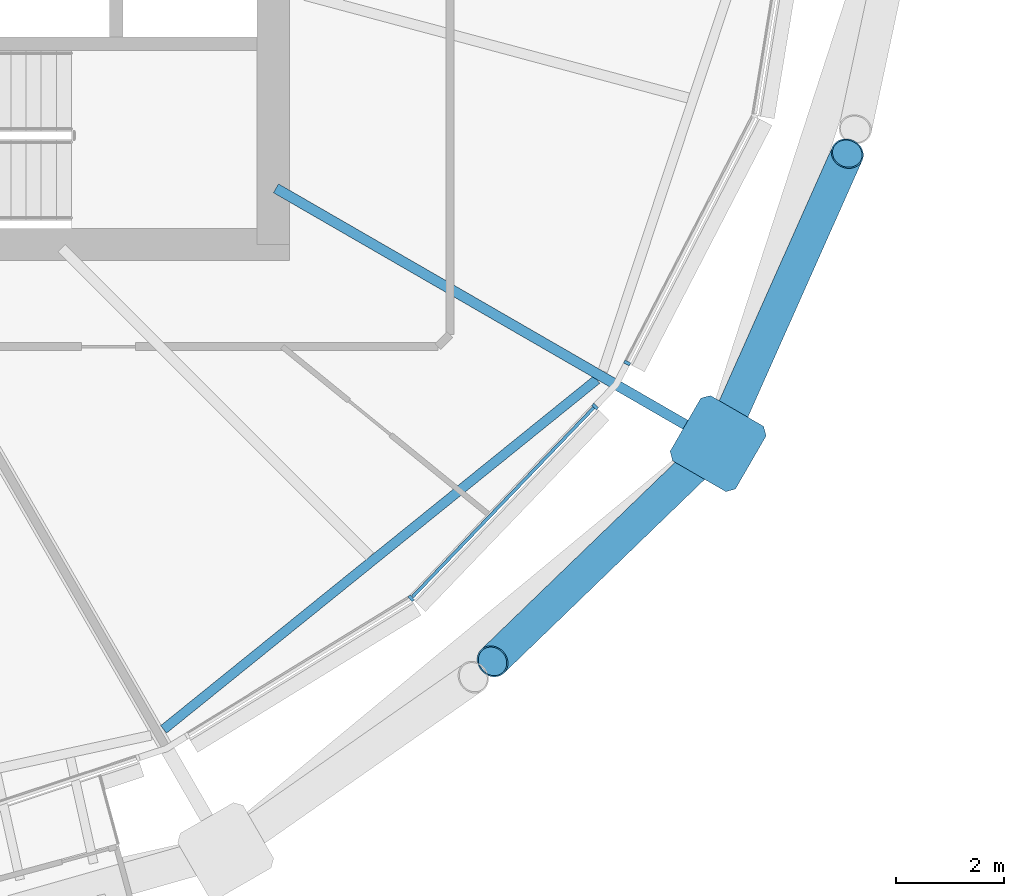
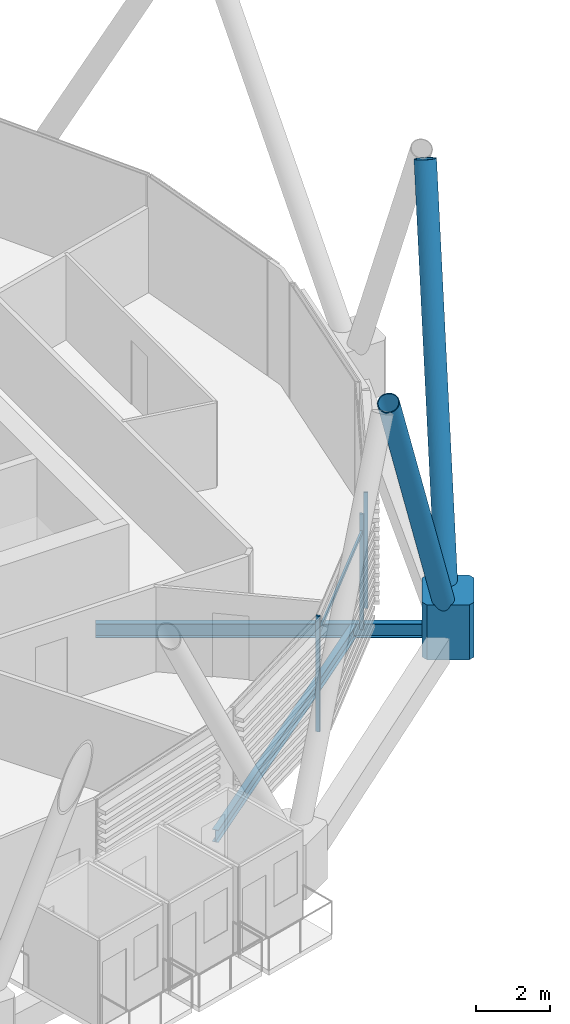
# One storey, part 6 of 35: 7 members, 2 beams, 1 element without a shape of its own.
"""IFC4 building model written with IfcOpenShell, lengths in metres."""

import ifcopenshell
import ifcopenshell.guid

model = None  # the IFC model being written
_history = None  # IfcOwnerHistory: only IFC2X3 demands one
_inside = {}  # id of a spatial element -> (the spatial element, [elements in it])
_under = {}  # id of a project, library or spatial element -> (it, [spatial elements below it])
_declared = {}  # id of a project -> (the project, [libraries it declares])
_typed = {}  # id of a type object -> (the type object, [elements of that type])
_made_of = {}  # id of a material, layer set ... -> (it, [elements and type objects made of it])


def new_model(schema):
    """Start an empty IFC model of exactly this schema.

    Asked for "IFC4X3", IfcOpenShell would pick the latest addendum, in which some entities
    have other attributes; the version numbers below select the first issue.
    IFC2X3 requires an IfcOwnerHistory on every rooted entity: one is made here for all.
    """
    global model, _history
    if schema == "IFC4X3":
        model = ifcopenshell.file(schema_version=(4, 3, 0, 0))
    else:
        model = ifcopenshell.file(schema=schema)
    _inside.clear()
    _under.clear()
    _declared.clear()
    _typed.clear()
    _made_of.clear()
    _history = None
    if model.schema == "IFC2X3":
        org = make("IfcOrganization", Name="unknown")
        user = make(
            "IfcPersonAndOrganization",
            ThePerson=make("IfcPerson", FamilyName="unknown"),
            TheOrganization=org,
        )
        app = make(
            "IfcApplication",
            ApplicationDeveloper=org,
            Version="unknown",
            ApplicationFullName="unknown",
            ApplicationIdentifier="unknown",
        )
        _history = make(
            "IfcOwnerHistory",
            OwningUser=user,
            OwningApplication=app,
            ChangeAction="ADDED",
            CreationDate=0,
        )
    return model


def make(cls, **values):
    """One entity of the class cls with the attributes given. An attribute that is None is left unset."""
    return model.create_entity(
        cls, **{name: value for name, value in values.items() if value is not None}
    )


def rooted(cls, **values):
    """An entity with a GlobalId (a new one), such as an element, a storey or a relation."""
    return make(cls, GlobalId=ifcopenshell.guid.new(), OwnerHistory=_history, **values)


def si_unit(unit_type, name, prefix=None):
    """IfcSIUnit, for example si_unit("LENGTHUNIT", "METRE", prefix="MILLI")."""
    return make("IfcSIUnit", UnitType=unit_type, Prefix=prefix, Name=name)


def assignment(units):
    """IfcUnitAssignment: the units of a project."""
    return None if units is None else make("IfcUnitAssignment", Units=units)


def point(xyz):
    """IfcCartesianPoint."""
    return None if xyz is None else make("IfcCartesianPoint", Coordinates=xyz)


def direction(xyz):
    """IfcDirection."""
    return None if xyz is None else make("IfcDirection", DirectionRatios=xyz)


def frame(location, z_axis=None, x_axis=None):
    """IfcAxis2Placement3D, a coordinate frame: its origin and axes. An axis left out is left unset."""
    return make(
        "IfcAxis2Placement3D",
        Location=point(location),
        Axis=direction(z_axis),
        RefDirection=direction(x_axis),
    )


def frame_2d(location, x_axis=None):
    """IfcAxis2Placement2D, a coordinate frame in the plane: its origin and x axis."""
    return make(
        "IfcAxis2Placement2D", Location=point(location), RefDirection=direction(x_axis)
    )


def origin():
    """The frame at (0, 0, 0) with its axes left unset."""
    return frame((0.0, 0.0, 0.0))


def origin_2d():
    """The frame at (0, 0) in the plane with its x axis left unset."""
    return frame_2d((0.0, 0.0))


def place(relative_to, where):
    """IfcLocalPlacement: puts the frame where relative to a parent placement (None: the world)."""
    return make(
        "IfcLocalPlacement", PlacementRelTo=relative_to, RelativePlacement=where
    )


def context(
    kind, dimensions, precision=None, world=None, true_north=None, identifier=None
):
    """IfcGeometricRepresentationContext, for example the 3D "Model" context."""
    return make(
        "IfcGeometricRepresentationContext",
        ContextIdentifier=identifier,
        ContextType=kind,
        CoordinateSpaceDimension=dimensions,
        Precision=precision,
        WorldCoordinateSystem=world,
        TrueNorth=true_north,
    )


def subcontext(parent, identifier, kind, view, scale=None):
    """IfcGeometricRepresentationSubContext, for example "Body" below "Model"."""
    return make(
        "IfcGeometricRepresentationSubContext",
        ContextIdentifier=identifier,
        ContextType=kind,
        ParentContext=parent,
        TargetScale=scale,
        TargetView=view,
    )


def project(units=None, contexts=None):
    """IfcProject with its units and contexts."""
    return rooted(
        "IfcProject",
        Name="project",
        RepresentationContexts=contexts,
        UnitsInContext=assignment(units),
    )


def spatial(cls, under=None, at=None, **own):
    """A site, building, storey or space (cls), placed at a placement, below another one or the project."""
    s = rooted(cls, ObjectPlacement=at, **own)
    if under is not None:
        _under.setdefault(under.id(), (under, []))[1].append(s)
    return s


def polyline(points):
    """IfcPolyline through the points."""
    return make("IfcPolyline", Points=[point(p) for p in points])


def profile(cls, at=None, kind="AREA", **sizes):
    """A parametric profile (cls). Its sizes go by their IFC names, for example OverallWidth=200.0."""
    return make(cls, ProfileType=kind, Position=at, **sizes)


def rectangle(**sizes):
    """IfcRectangleProfileDef."""
    return profile("IfcRectangleProfileDef", **sizes)


def hollow_circle(**sizes):
    """IfcCircleHollowProfileDef."""
    return profile("IfcCircleHollowProfileDef", **sizes)


def i_section(**sizes):
    """IfcIShapeProfileDef."""
    return profile("IfcIShapeProfileDef", **sizes)


def outline(outer, holes=None, kind="AREA"):
    """IfcArbitraryClosedProfileDef: a profile drawn as a closed curve; with holes, ...WithVoids."""
    if holes is None:
        return make("IfcArbitraryClosedProfileDef", ProfileType=kind, OuterCurve=outer)
    return make(
        "IfcArbitraryProfileDefWithVoids",
        ProfileType=kind,
        OuterCurve=outer,
        InnerCurves=holes,
    )


def extrude(swept, where, along, depth):
    """IfcExtrudedAreaSolid: the profile swept, set in the frame where, extruded along a direction by depth."""
    return make(
        "IfcExtrudedAreaSolid",
        SweptArea=swept,
        Position=where,
        ExtrudedDirection=direction(along),
        Depth=depth,
    )


def shape(context_of_items, identifier, shape_type, items):
    """IfcShapeRepresentation: the items that make up one representation, for example the "Body"."""
    return make(
        "IfcShapeRepresentation",
        ContextOfItems=context_of_items,
        RepresentationIdentifier=identifier,
        RepresentationType=shape_type,
        Items=items,
    )


def material(Name=None, Category=None):
    """IfcMaterial."""
    return make("IfcMaterial", Name=Name, Category=Category)


def material_profile(
    of_material, cross_section, Name=None, Category=None, Priority=None
):
    """IfcMaterialProfile: a cross section and its material."""
    return make(
        "IfcMaterialProfile",
        Name=Name,
        Material=of_material,
        Profile=cross_section,
        Priority=Priority,
        Category=Category,
    )


def profile_set(profiles, Name=None, composite=None):
    """IfcMaterialProfileSet."""
    return make(
        "IfcMaterialProfileSet",
        Name=Name,
        MaterialProfiles=profiles,
        CompositeProfile=composite,
    )


def made_of(thing, what):
    """Note that an element or type object is made of a material, layer set ...; save() writes the relation."""
    if what is not None:
        _made_of.setdefault(what.id(), (what, []))[1].append(thing)
    return thing


def type_object(cls, material=None, **own):
    """A type object (cls), such as IfcWallType, which elements share."""
    return made_of(rooted(cls, **own), material)


def element(
    cls,
    number,
    at=None,
    inside=None,
    cuts=None,
    type_object=None,
    material=None,
    context=None,
    identifier="Body",
    shape_type=None,
    held_by="IfcProductDefinitionShape",
    body=None,
    shapes=None,
    **own,
):
    """One element of the class cls, such as IfcWall. Its Tag is "e" and its number.

    at: its placement. inside: the storey or other place that contains it. cuts: it is an
    opening in that element (IfcRelVoidsElement). A single representation is given by context,
    identifier, shape_type and body (its items); several are given by shapes. held_by: the class
    of the entity that holds the representations. save() writes the other relations.
    """
    e = rooted(cls, Tag="e%d" % number, ObjectPlacement=at, **own)
    if body is not None:
        shapes = [shape(context, identifier, shape_type, body)]
    if shapes is not None:
        e.Representation = make(held_by, Representations=shapes)
    if inside is not None:
        _inside.setdefault(inside.id(), (inside, []))[1].append(e)
    if cuts is not None:
        rooted(
            "IfcRelVoidsElement", RelatingBuildingElement=cuts, RelatedOpeningElement=e
        )
    if type_object is not None:
        _typed.setdefault(type_object.id(), (type_object, []))[1].append(e)
    return made_of(e, material)


def aggregate(whole, parts):
    """IfcRelAggregates: a whole, such as a stair, and the parts it consists of."""
    return rooted("IfcRelAggregates", RelatingObject=whole, RelatedObjects=parts)


def save(model, path):
    """Write the relations noted so far, then the file.

    IfcRelAggregates (storeys below a building ...), IfcRelContainedInSpatialStructure (elements
    in a storey), IfcRelDefinesByType, IfcRelAssociatesMaterial and IfcRelDeclares: one each for
    every whole, place, type object, material and project.
    """
    for whole, parts in _under.values():
        aggregate(whole, parts)
    for where, things in _inside.values():
        rooted(
            "IfcRelContainedInSpatialStructure",
            RelatedElements=things,
            RelatingStructure=where,
        )
    for kind, things in _typed.values():
        rooted("IfcRelDefinesByType", RelatedObjects=things, RelatingType=kind)
    for what, things in _made_of.values():
        rooted("IfcRelAssociatesMaterial", RelatedObjects=things, RelatingMaterial=what)
    for by, libraries in _declared.values():
        rooted("IfcRelDeclares", RelatingContext=by, RelatedDefinitions=libraries)
    model.write(path)


model = new_model("IFC4")

# Units and contexts
model_context = context("Model", 3, precision=1e-05, world=origin(), true_north=direction((0.0, 1.0)))
body_context = subcontext(model_context, "Body", "Model", "MODEL_VIEW")
ifc_project = project(units=[si_unit("LENGTHUNIT", "METRE"), si_unit("AREAUNIT", "SQUARE_METRE"), si_unit("VOLUMEUNIT", "CUBIC_METRE"), si_unit("PLANEANGLEUNIT", "RADIAN"), si_unit("MASSUNIT", "GRAM", prefix="KILO")], contexts=[model_context])

# Site, building, storey
site_placement = place(None, origin())
site = spatial("IfcSite", under=ifc_project, at=site_placement, CompositionType="ELEMENT")
building_placement = place(site_placement, origin())
building = spatial("IfcBuilding", under=site, at=building_placement, Name="Rimbun Link Towers", CompositionType="ELEMENT")
storey_placement = place(building_placement, frame((0.0, 0.0, 181.699951171875)))
storey = spatial("IfcBuildingStorey", under=building, at=storey_placement, Name="L44", CompositionType="ELEMENT", Elevation=181.699951171875)

# Curtain wall, members
ifc_material_1 = material(Name="Aluminium 6063-T6 and low-iron glass", Category="aluminium")
curtain_wall_type = type_object("IfcCurtainWallType", Name="CW1-Z3 unitised vision wall (zone 3)", PredefinedType="NOTDEFINED", material=ifc_material_1)
curtain_wall_placement = place(storey_placement, origin())
curtain_wall = element("IfcCurtainWall", 1, at=curtain_wall_placement, inside=storey, type_object=curtain_wall_type, Name="CW1 L44 T1", PredefinedType="NOTDEFINED")
ifc_material_2 = material(Name="Aluminium 6063-T6", Category="aluminium")
ifc_material_profile_1 = material_profile(ifc_material_2, rectangle(XDim=0.1201171875, YDim=0.06005859375, at=origin_2d()), Name="MULLION 60X120")
ifc_profile_set_1 = profile_set([ifc_material_profile_1], Name="Aluminium 6063-T6")
member_type_1 = type_object("IfcMemberType", Name="CW1 mullion 60X120", PredefinedType="MULLION", material=ifc_profile_set_1)
member_1_placement = place(storey_placement, frame((-17.192626953125, -14.56640625, 0.0), z_axis=(0.0, 0.0, 1.0), x_axis=(0.627666301152, -0.778482507445, 0.0)))
member_1 = element("IfcMember", 2, at=member_1_placement, type_object=member_type_1, Name="CW1 mullion", PredefinedType="MULLION", context=body_context, shape_type="SweptSolid", body=[
    extrude(rectangle(XDim=0.1201171875, YDim=0.06005859375, at=origin_2d()), origin(), (0.0, 0.0, 1.0), 3.800048828125),
])
member_2_placement = place(storey_placement, frame((-13.7802734375, -11.008056640625, 0.0), z_axis=(0.0, 0.0, 1.0), x_axis=(0.721842893583, -0.692056960795, 0.0)))
member_2 = element("IfcMember", 3, at=member_2_placement, type_object=member_type_1, Name="CW1 mullion", PredefinedType="MULLION", context=body_context, shape_type="SweptSolid", body=[
    extrude(rectangle(XDim=0.1201171875, YDim=0.06005859375, at=origin_2d()), origin(), (0.0, 0.0, 1.0), 3.800048828125),
])
member_3_placement = place(storey_placement, frame((-13.182861328125, -10.197509765625, 0.0), z_axis=(0.0, 0.0, 1.0), x_axis=(0.88814980284, -0.459554053094, 0.0)))
member_3 = element("IfcMember", 4, at=member_3_placement, type_object=member_type_1, Name="CW1 mullion", PredefinedType="MULLION", context=body_context, shape_type="SweptSolid", body=[
    extrude(rectangle(XDim=0.1201171875, YDim=0.06005859375, at=origin_2d()), origin(), (0.0, 0.0, 1.0), 3.800048828125),
])
ifc_material_3 = material(Name="Aluminium 6063-T6", Category="aluminium")
ifc_material_profile_2 = material_profile(ifc_material_3, rectangle(XDim=0.06005859375, YDim=0.1201171875, at=origin_2d()), Name="TRANSOM 60X120")
ifc_profile_set_2 = profile_set([ifc_material_profile_2], Name="Aluminium 6063-T6")
member_type_2 = type_object("IfcMemberType", Name="CW1 transom 60X120", PredefinedType="USERDEFINED", material=ifc_profile_set_2)
member_4_placement = place(storey_placement, frame((-13.802490234375, -11.0283203125, 3.199951171875), z_axis=(-0.692037304928, -0.721861737862, 0.0), x_axis=(0.721861737862, -0.692037304928, 0.0)))
member_4 = element("IfcMember", 5, at=member_4_placement, type_object=member_type_2, Name="CW1 transom", ObjectType="TRANSOM", PredefinedType="USERDEFINED", context=body_context, shape_type="SweptSolid", body=[
    extrude(rectangle(XDim=0.06005859375, YDim=0.1201171875, at=origin_2d()), origin(), (0.0, 0.0, 1.0), 4.862548828125),
])
aggregate(curtain_wall, [member_1, member_2, member_3, member_4])

# Members
ifc_material_4 = material(Name="Steel S355J2H", Category="steel")
ifc_material_profile_3 = material_profile(ifc_material_4, hollow_circle(Radius=0.3046875, WallThickness=0.02490234375, at=origin_2d()), Name="Diagrid diagonal CHS 610x25")
ifc_profile_set_3 = profile_set([ifc_material_profile_3], Name="Steel S355J2H")
member_type_3 = type_object("IfcMemberType", Name="Diagrid diagonal CHS 610x25", PredefinedType="BRACE", material=ifc_profile_set_3)
member_5_placement = place(storey_placement, frame((-11.6630859375, -11.857421875, 0.441650390625), z_axis=(-0.337487022674, -0.325739251336, 0.883174076649), x_axis=(0.694472813662, -0.719518944215, 0.0)))
element("IfcMember", 6, at=member_5_placement, inside=storey, type_object=member_type_3, Name="Diagrid diagonal T1 L44-L47 22a", PredefinedType="BRACE", context=body_context, shape_type="SweptSolid", body=[
    extrude(hollow_circle(Radius=0.3046875, WallThickness=0.02490234375, at=origin_2d()), origin(), (0.0, 0.0, 1.0), 11.907958984375),
])
member_6_placement = place(storey_placement, frame((-11.39794921875, -11.478271484375, 0.4404296875), z_axis=(0.192724586343, 0.432546907829, 0.880772618981), x_axis=(-0.91343376835, 0.406987408696, 0.0)))
element("IfcMember", 7, at=member_6_placement, inside=storey, type_object=member_type_3, Name="Diagrid diagonal T1 L44-L47 22b", PredefinedType="BRACE", context=body_context, shape_type="SweptSolid", body=[
    extrude(hollow_circle(Radius=0.3046875, WallThickness=0.02490234375, at=origin_2d()), origin(), (0.0, 0.0, 1.0), 11.943359375),
])
ifc_material_5 = material(Name="Cast steel G20Mn5+QT, Rp0.2 300 MPa", Category="steel")
ifc_material_profile_4 = material_profile(ifc_material_5, outline(polyline([(0.699951171875, -0.570068359375), (0.699951171875, 0.570068359375), (0.570068359375, 0.699951171875), (-0.570068359375, 0.699951171875), (-0.699951171875, 0.570068359375), (-0.699951171875, -0.570068359375), (-0.570068359375, -0.699951171875), (0.570068359375, -0.699951171875), (0.699951171875, -0.570068359375)])), Name="NODE 1400x1400")
ifc_profile_set_4 = profile_set([ifc_material_profile_4], Name="Cast steel G20Mn5+QT, Rp0.2 300 MPa")
member_type_4 = type_object("IfcMemberType", Name="Diagrid node cast 1400", PredefinedType="USERDEFINED", material=ifc_profile_set_4)
member_7_placement = place(storey_placement, frame((-11.494384765625, -11.694580078125, -0.89990234375), z_axis=(0.0, 0.0, 1.0), x_axis=(0.866025403784, -0.5, 0.0)))
element("IfcMember", 8, at=member_7_placement, inside=storey, type_object=member_type_4, Name="Diagrid node L44 22", ObjectType="Diagrid node", PredefinedType="USERDEFINED", context=body_context, shape_type="SweptSolid", body=[
    extrude(outline(polyline([(0.699951171875, -0.570068359375), (0.699951171875, 0.570068359375), (0.570068359375, 0.699951171875), (-0.570068359375, 0.699951171875), (-0.699951171875, 0.570068359375), (-0.699951171875, -0.570068359375), (-0.570068359375, -0.699951171875), (0.570068359375, -0.699951171875), (0.699951171875, -0.570068359375)])), origin(), (0.0, 0.0, 1.0), 1.800048828125),
])

# Beams
ifc_material_6 = material(Name="Steel S355J2", Category="steel")
ifc_material_profile_5 = material_profile(ifc_material_6, i_section(OverallWidth=0.177978515625, OverallDepth=0.406494140625, WebThickness=0.0078125, FlangeThickness=0.0126953125, at=origin_2d()), Name="UB 406x178x60")
ifc_profile_set_5 = profile_set([ifc_material_profile_5], Name="Steel S355J2")
beam_type_1 = type_object("IfcBeamType", Name="UB 406x178x60", PredefinedType="BEAM", material=ifc_profile_set_5)
beam_1_placement = place(storey_placement, frame((-21.787841796875, -16.999267578125, -0.353271484375), z_axis=(0.778014886906, 0.628245840219, 0.0), x_axis=(-0.628245840219, 0.778014886906, 0.0)))
element("IfcBeam", 9, at=beam_1_placement, inside=storey, type_object=beam_type_1, Name="Edge beam T1 L44 20-22", PredefinedType="BEAM", context=body_context, shape_type="SweptSolid", body=[
    extrude(i_section(OverallWidth=0.177978515625, OverallDepth=0.406494140625, WebThickness=0.0078125, FlangeThickness=0.0126953125, at=origin_2d()), origin(), (0.0, 0.0, 1.0), 10.336669921875),
])
ifc_material_7 = material(Name="Steel S355J2", Category="steel")
ifc_material_profile_6 = material_profile(ifc_material_7, i_section(OverallWidth=0.18994140625, OverallDepth=0.453369140625, WebThickness=0.008544921875, FlangeThickness=0.0126953125, at=origin_2d()), Name="UB 457x191x67")
ifc_profile_set_6 = profile_set([ifc_material_profile_6], Name="Steel S355J2")
beam_type_2 = type_object("IfcBeamType", Name="UB 457x191x67", PredefinedType="BEAM", material=ifc_profile_set_6)
beam_2_placement = place(storey_placement, frame((-19.70166015625, -6.9560546875, -0.376708984375), z_axis=(0.866020276526, -0.500008880568, 0.0), x_axis=(0.500008880568, 0.866020276526, 0.0)))
element("IfcBeam", 10, at=beam_2_placement, inside=storey, type_object=beam_type_2, Name="Radial beam T1 L44 22", PredefinedType="BEAM", context=body_context, shape_type="SweptSolid", body=[
    extrude(i_section(OverallWidth=0.18994140625, OverallDepth=0.453369140625, WebThickness=0.008544921875, FlangeThickness=0.0126953125, at=origin_2d()), origin(), (0.0, 0.0, 1.0), 8.976806640625),
])

save(model, "model.ifc")
